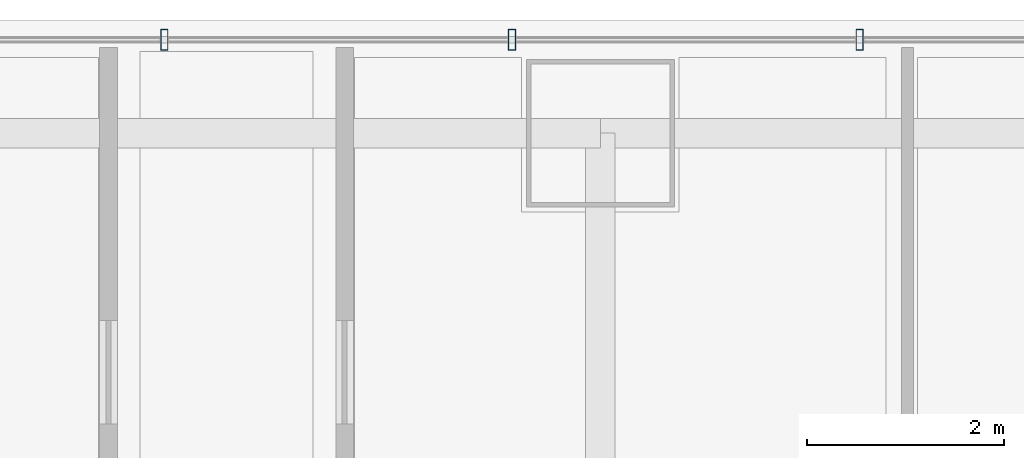
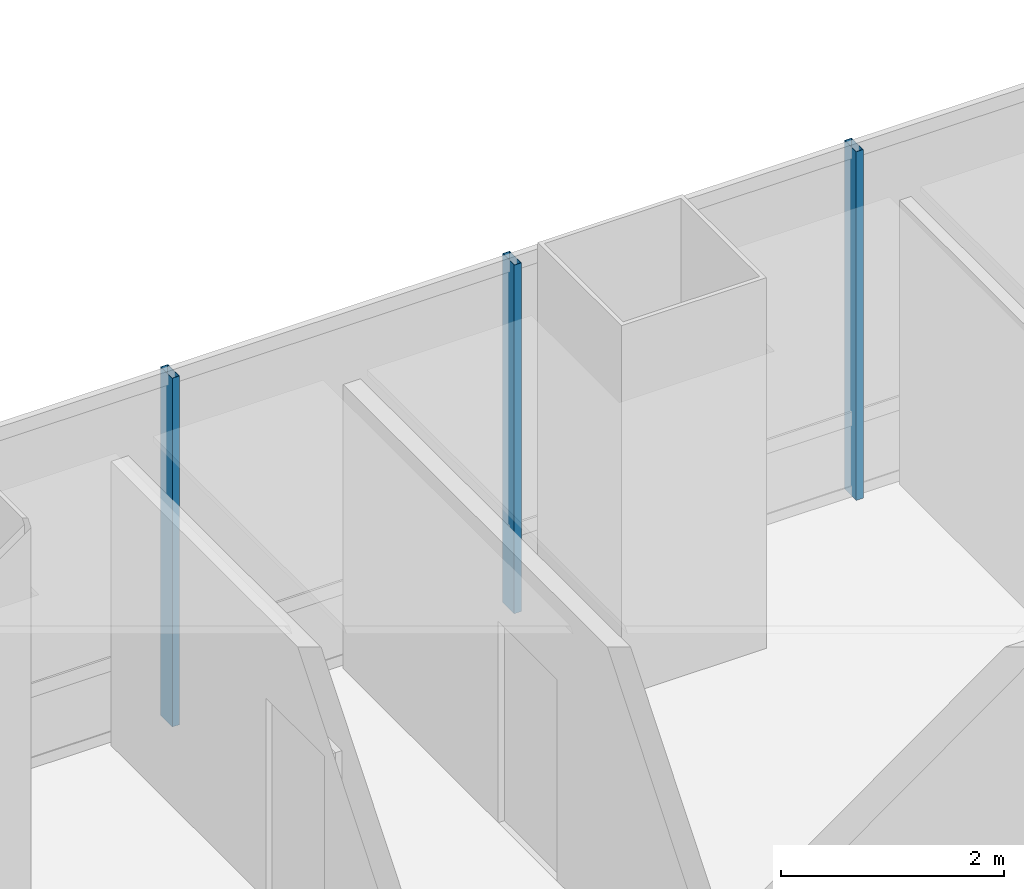
# One storey, part 23 of 36: 3 members, 1 element without a shape of its own.
"""IFC4 building model written with IfcOpenShell, lengths in metres."""

from ifc_helpers import new_model, si_unit, direction, frame, origin, origin_2d, place, context, subcontext, project, spatial, hollow_rectangle, extrude, material, material_profile, profile_set, type_object, element, aggregate, save


model = new_model("IFC4")

# Units and contexts
model_context = context("Model", 3, precision=1e-05, world=origin(), true_north=direction((0.0, 1.0)))
body_context = subcontext(model_context, "Body", "Model", "MODEL_VIEW")
ifc_project = project(units=[si_unit("LENGTHUNIT", "METRE"), si_unit("AREAUNIT", "SQUARE_METRE"), si_unit("VOLUMEUNIT", "CUBIC_METRE"), si_unit("PLANEANGLEUNIT", "RADIAN"), si_unit("MASSUNIT", "GRAM", prefix="KILO")], contexts=[model_context])

# Site, building, storey
site_placement = place(None, origin())
site = spatial("IfcSite", under=ifc_project, at=site_placement, CompositionType="ELEMENT")
building_placement = place(site_placement, origin())
building = spatial("IfcBuilding", under=site, at=building_placement, Name="Punatoya Terracotta Tower", CompositionType="ELEMENT")
storey_placement = place(building_placement, frame((0.0, 0.0, 36.300048828125)))
storey = spatial("IfcBuildingStorey", under=building, at=storey_placement, Name="L07", CompositionType="ELEMENT", Elevation=36.300048828125)

# Curtain wall, members
ifc_material_1 = material(Name="Aluminium 6063-T6 + Double Low-E Glass", Category="aluminium")
curtain_wall_type = type_object("IfcCurtainWallType", Name="CW-M1", PredefinedType="NOTDEFINED", material=ifc_material_1)
curtain_wall_placement = place(storey_placement, origin())
curtain_wall = element("IfcCurtainWall", 1, at=curtain_wall_placement, inside=storey, type_object=curtain_wall_type, Name="L07 Curtain Wall CW-L07-N09-1", PredefinedType="NOTDEFINED")
ifc_material_2 = material(Name="Aluminium 6063-T6", Category="aluminium")
ifc_material_profile = material_profile(ifc_material_2, hollow_rectangle(XDim=0.074951171875, YDim=0.2099609375, WallThickness=0.00439453125, at=origin_2d()))
ifc_profile_set = profile_set([ifc_material_profile], Name="Aluminium 6063-T6")
member_type = type_object("IfcMemberType", Name="CW-MUL-M1", PredefinedType="MULLION", material=ifc_profile_set)
member_1_placement = place(storey_placement, frame((6.43505859375, 18.449951171875, 0.0), z_axis=(0.0, 0.0, 1.0), x_axis=(1.0, 0.0, 0.0)))
member_1 = element("IfcMember", 2, at=member_1_placement, type_object=member_type, Name="CW-L07-N09-1 Mullion 03", PredefinedType="MULLION", context=body_context, shape_type="SweptSolid", body=[
    extrude(hollow_rectangle(XDim=0.074951171875, YDim=0.2099609375, WallThickness=0.00439453125, at=origin_2d()), origin(), (0.0, 0.0, 1.0), 3.81005859375),
])
member_2_placement = place(storey_placement, frame((2.90087890625, 18.449951171875, 0.0), z_axis=(0.0, 0.0, 1.0), x_axis=(1.0, 0.0, 0.0)))
member_2 = element("IfcMember", 3, at=member_2_placement, type_object=member_type, Name="CW-L07-N09-1 Mullion 04", PredefinedType="MULLION", context=body_context, shape_type="SweptSolid", body=[
    extrude(hollow_rectangle(XDim=0.074951171875, YDim=0.2099609375, WallThickness=0.00439453125, at=origin_2d()), origin(), (0.0, 0.0, 1.0), 3.81005859375),
])
member_3_placement = place(storey_placement, frame((-0.633056640625, 18.449951171875, 0.0), z_axis=(0.0, 0.0, 1.0), x_axis=(1.0, 0.0, 0.0)))
member_3 = element("IfcMember", 4, at=member_3_placement, type_object=member_type, Name="CW-L07-N09-1 Mullion 05", PredefinedType="MULLION", context=body_context, shape_type="SweptSolid", body=[
    extrude(hollow_rectangle(XDim=0.074951171875, YDim=0.2099609375, WallThickness=0.00439453125, at=origin_2d()), origin(), (0.0, 0.0, 1.0), 3.81005859375),
])
aggregate(curtain_wall, [member_1, member_2, member_3])

save(model, "model.ifc")
